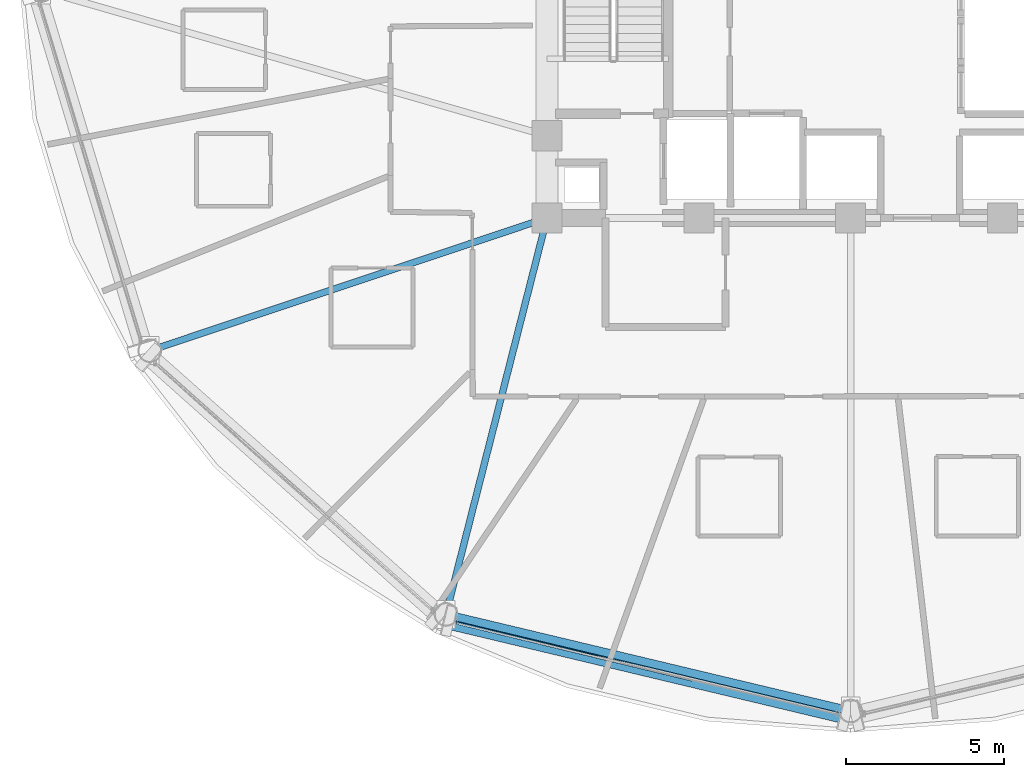
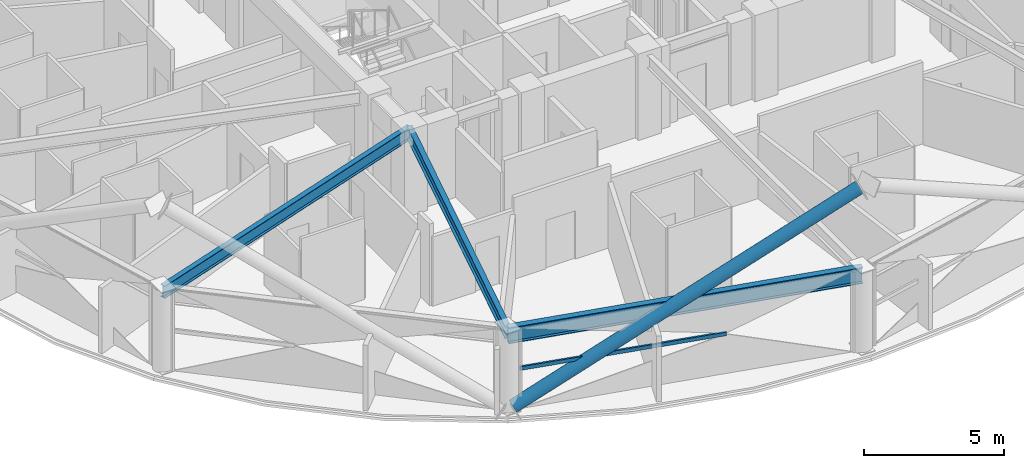
# One storey, part 3 of 32: 3 beams, 2 members, 1 element without a shape of its own.
"""IFC4 building model written with IfcOpenShell, lengths in metres."""

from ifc_helpers import new_model, si_unit, direction, frame, origin, origin_2d, place, context, subcontext, project, spatial, hollow_rectangle, hollow_circle, i_section, extrude, material, layer, layer_set, material_profile, profile_set, type_object, element, aggregate, save


model = new_model("IFC4")

# Units and contexts
model_context = context("Model", 3, precision=1e-05, world=origin(), true_north=direction((0.0, 1.0)))
body_context = subcontext(model_context, "Body", "Model", "MODEL_VIEW")
ifc_project = project(units=[si_unit("LENGTHUNIT", "METRE"), si_unit("AREAUNIT", "SQUARE_METRE"), si_unit("VOLUMEUNIT", "CUBIC_METRE"), si_unit("PLANEANGLEUNIT", "RADIAN"), si_unit("MASSUNIT", "GRAM", prefix="KILO")], contexts=[model_context])

# Site, building, storey
site_placement = place(None, origin())
site = spatial("IfcSite", under=ifc_project, at=site_placement, CompositionType="ELEMENT")
building_placement = place(site_placement, origin())
building = spatial("IfcBuilding", under=site, at=building_placement, Name="Vantalir Tower", CompositionType="ELEMENT")
storey_placement = place(building_placement, frame((0.0, 0.0, 104.699951171875)))
storey = spatial("IfcBuildingStorey", under=building, at=storey_placement, Name="L25", CompositionType="ELEMENT", Elevation=104.699951171875)

# Beams
ifc_material_1 = material(Name="Steel S355", Category="steel")
ifc_material_profile_1 = material_profile(ifc_material_1, i_section(OverallWidth=0.2109375, OverallDepth=0.5390625, WebThickness=0.01171875, FlangeThickness=0.018798828125, at=origin_2d()), Name="Steel S355")
ifc_profile_set_1 = profile_set([ifc_material_profile_1], Name="Steel S355")
beam_type_1 = type_object("IfcBeamType", Name="BM-RB-533x210", PredefinedType="BEAM", material=ifc_profile_set_1)
beam_1_placement = place(storey_placement, frame((9.340087890625, 13.60595703125, 3.300048828125), z_axis=(0.948513537224, 0.316736593565, 0.0), x_axis=(-0.316736593565, 0.948513537224, 0.0)))
element("IfcBeam", 1, at=beam_1_placement, inside=storey, type_object=beam_type_1, Name="L25 Radial Floor Beam 08", PredefinedType="BEAM", context=body_context, shape_type="SweptSolid", body=[
    extrude(i_section(OverallWidth=0.2109375, OverallDepth=0.5390625, WebThickness=0.01171875, FlangeThickness=0.018798828125, at=origin_2d()), origin(), (0.0, 0.0, 1.0), 13.241455078125),
])
beam_2_placement = place(storey_placement, frame((18.7060546875, 5.264892578125, 3.300048828125), z_axis=(0.246902931602, 0.969040217105, 0.0), x_axis=(-0.969040217105, 0.246902931602, 0.0)))
element("IfcBeam", 2, at=beam_2_placement, inside=storey, type_object=beam_type_1, Name="L25 Radial Floor Beam 09", PredefinedType="BEAM", context=body_context, shape_type="SweptSolid", body=[
    extrude(i_section(OverallWidth=0.2109375, OverallDepth=0.5390625, WebThickness=0.01171875, FlangeThickness=0.018798828125, at=origin_2d()), origin(), (0.0, 0.0, 1.0), 12.935546875),
])
ifc_material_2 = material(Name="Steel S460", Category="steel")
ifc_material_profile_2 = material_profile(ifc_material_2, i_section(OverallWidth=0.256103515625, OverallDepth=0.693115234375, WebThickness=0.014404296875, FlangeThickness=0.023681640625, at=origin_2d()), Name="Steel S460")
ifc_profile_set_2 = profile_set([ifc_material_profile_2], Name="Steel S460")
beam_type_2 = type_object("IfcBeamType", Name="BM-RG-686x254", PredefinedType="USERDEFINED", material=ifc_profile_set_2)
beam_3_placement = place(storey_placement, frame((18.7060546875, 5.264892578125, 3.22314453125), z_axis=(0.972689585219, -0.232109824883, 0.0), x_axis=(0.232109824883, 0.972689585219, 0.0)))
element("IfcBeam", 3, at=beam_3_placement, inside=storey, type_object=beam_type_2, Name="L25 Circumferential Ring Girder 09", ObjectType="GIRDER", PredefinedType="USERDEFINED", context=body_context, shape_type="SweptSolid", body=[
    extrude(i_section(OverallWidth=0.256103515625, OverallDepth=0.693115234375, WebThickness=0.014404296875, FlangeThickness=0.023681640625, at=origin_2d()), origin(), (0.0, 0.0, 1.0), 13.153076171875),
])

# Curtain wall, member
ifc_material_3 = material(Name="Champagne-silver PVDF aluminium and double-silver Low-E glass", Category="aluminium")
ifc_layer = layer(ifc_material_3, 0.199951171875)
ifc_layer_set = layer_set([ifc_layer], Name="Champagne-silver PVDF aluminium and double-silver Low-E glass")
curtain_wall_type = type_object("IfcCurtainWallType", Name="CW-DIAMOND-Z2", PredefinedType="USERDEFINED", material=ifc_layer_set)
curtain_wall_placement = place(storey_placement, origin())
curtain_wall = element("IfcCurtainWall", 4, at=curtain_wall_placement, inside=storey, type_object=curtain_wall_type, Name="L25 Quilted Pyramid-Diamond Curtain Wall S09", ObjectType="UNITISED CURTAIN WALL", PredefinedType="USERDEFINED")
ifc_material_4 = material(Name="Champagne-silver PVDF aluminium 6063-T6", Category="aluminium")
ifc_material_profile_3 = material_profile(ifc_material_4, hollow_rectangle(XDim=0.074951171875, YDim=0.159912109375, WallThickness=0.00390625, at=origin_2d()), Name="Champagne-silver PVDF aluminium 6063-T6")
ifc_profile_set_3 = profile_set([ifc_material_profile_3], Name="Champagne-silver PVDF aluminium 6063-T6")
member_type_1 = type_object("IfcMemberType", Name="CWT-160x75", PredefinedType="USERDEFINED", material=ifc_profile_set_3)
member_1_placement = place(storey_placement, frame((19.0390625, 4.998046875, 1.78515625), z_axis=(0.971918748, -0.235316695725, 0.0), x_axis=(0.235316695725, 0.971918748, 0.0)))
member_1 = element("IfcMember", 5, at=member_1_placement, type_object=member_type_1, Name="CW-L25-S09 Pyramid Fold Ridge Transom", ObjectType="TRANSOM", PredefinedType="USERDEFINED", context=body_context, shape_type="SweptSolid", body=[
    extrude(hollow_rectangle(XDim=0.074951171875, YDim=0.159912109375, WallThickness=0.00390625, at=origin_2d()), origin(), (0.0, 0.0, 1.0), 7.670166015625),
])
aggregate(curtain_wall, [member_1])

# Member
ifc_material_profile_4 = material_profile(ifc_material_2, hollow_circle(Radius=0.260009765625, WallThickness=0.0380859375, at=origin_2d()), Name="Steel S460")
ifc_profile_set_4 = profile_set([ifc_material_profile_4], Name="Steel S460")
member_type_2 = type_object("IfcMemberType", Name="MEM-DB-520x38", PredefinedType="BRACE", material=ifc_profile_set_4)
member_2_placement = place(storey_placement, frame((18.799072265625, 5.054931640625, 0.18505859375), z_axis=(0.855759229525, -0.204351690831, 0.47530677203), x_axis=(0.232265303293, 0.972652470765, 0.0)))
element("IfcMember", 6, at=member_2_placement, inside=storey, type_object=member_type_2, Name="L25 Perimeter S460 Diagrid Brace R25L", PredefinedType="BRACE", context=body_context, shape_type="SweptSolid", body=[
    extrude(hollow_circle(Radius=0.260009765625, WallThickness=0.0380859375, at=origin_2d()), origin(), (0.0, 0.0, 1.0), 14.6220703125),
])

save(model, "model.ifc")
